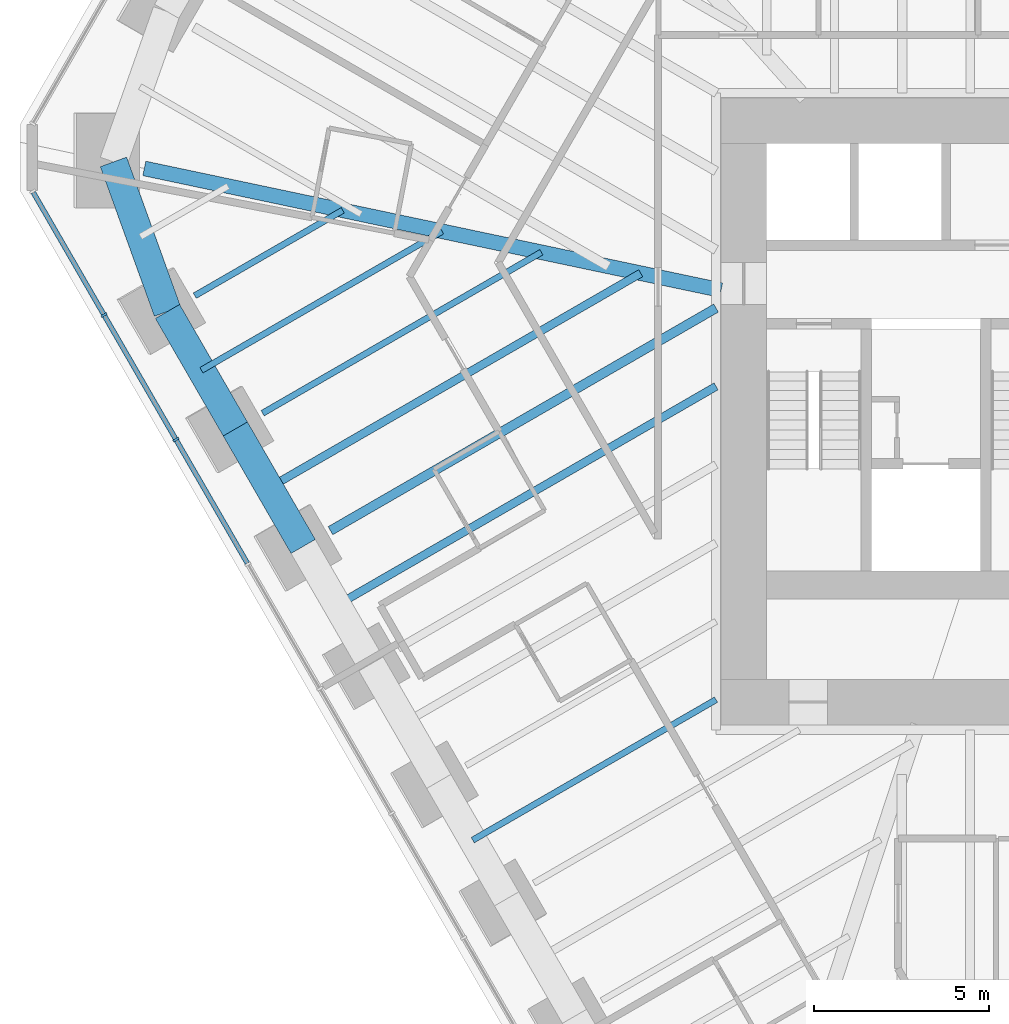
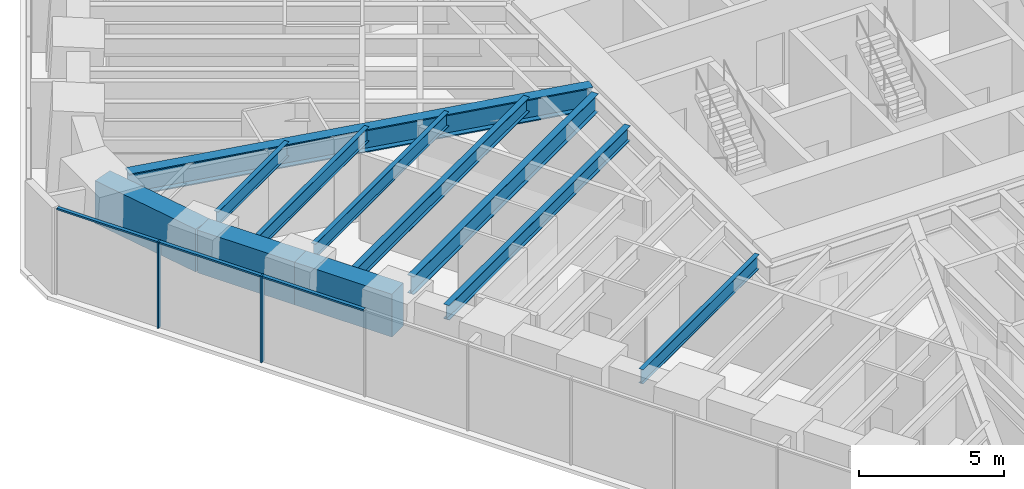
# One storey, part 3 of 18: 11 beams, 5 members, 1 element without a shape of its own.
"""IFC4 building model written with IfcOpenShell, lengths in metres."""

from ifc_helpers import new_model, si_unit, direction, frame, origin, origin_2d, place, context, subcontext, project, spatial, rectangle, i_section, extrude, material, material_profile, profile_set, type_object, element, aggregate, save


model = new_model("IFC4")

# Units and contexts
model_context = context("Model", 3, precision=1e-05, world=origin(), true_north=direction((0.0, 1.0)))
body_context = subcontext(model_context, "Body", "Model", "MODEL_VIEW")
ifc_project = project(units=[si_unit("LENGTHUNIT", "METRE"), si_unit("AREAUNIT", "SQUARE_METRE"), si_unit("VOLUMEUNIT", "CUBIC_METRE"), si_unit("PLANEANGLEUNIT", "RADIAN"), si_unit("MASSUNIT", "GRAM", prefix="KILO")], contexts=[model_context])

# Site, building, storey
site_placement = place(None, origin())
site = spatial("IfcSite", under=ifc_project, at=site_placement, CompositionType="ELEMENT")
building_placement = place(site_placement, origin())
building = spatial("IfcBuilding", under=site, at=building_placement, Name="Sandreach Pilgrim Tower", CompositionType="ELEMENT")
storey_placement = place(building_placement, frame((0.0, 0.0, 153.800048828125)))
storey = spatial("IfcBuildingStorey", under=building, at=storey_placement, Name="L38", CompositionType="ELEMENT", Elevation=153.800048828125)

# Curtain wall, members
ifc_material_1 = material(Name="Aluminium framed curtain wall", Category="aluminium")
curtain_wall_type = type_object("IfcCurtainWallType", Name="Hotel tower curtain wall", PredefinedType="NOTDEFINED", material=ifc_material_1)
curtain_wall_placement = place(storey_placement, origin())
curtain_wall = element("IfcCurtainWall", 1, at=curtain_wall_placement, inside=storey, type_object=curtain_wall_type, Name="CW-2 L38 SW", PredefinedType="NOTDEFINED")
ifc_material_2 = material(Name="Aluminium extrusion", Category="aluminium")
ifc_material_profile_1 = material_profile(ifc_material_2, rectangle(XDim=0.06494140625, YDim=0.179931640625, at=origin_2d()), Name="CW-2M 65X180")
ifc_profile_set_1 = profile_set([ifc_material_profile_1], Name="Aluminium extrusion")
member_type_1 = type_object("IfcMemberType", Name="CW-2 mullion", PredefinedType="MULLION", material=ifc_profile_set_1)
member_1_placement = place(storey_placement, frame((-24.614013671875, -2.35498046875, 0.0), z_axis=(0.0, 0.0, 1.0), x_axis=(-0.5, 0.866025403784, 0.0)))
member_1 = element("IfcMember", 2, at=member_1_placement, type_object=member_type_1, Name="CW-2 mullion 8", PredefinedType="MULLION", context=body_context, shape_type="SweptSolid", body=[
    extrude(rectangle(XDim=0.06494140625, YDim=0.179931640625, at=origin_2d()), origin(), (0.0, 0.0, 1.0), 3.639892578125),
])
member_2_placement = place(storey_placement, frame((-26.66748046875, 1.20166015625, 0.0), z_axis=(0.0, 0.0, 1.0), x_axis=(-0.5, 0.866025403784, 0.0)))
member_2 = element("IfcMember", 3, at=member_2_placement, type_object=member_type_1, Name="CW-2 mullion 9", PredefinedType="MULLION", context=body_context, shape_type="SweptSolid", body=[
    extrude(rectangle(XDim=0.06494140625, YDim=0.179931640625, at=origin_2d()), origin(), (0.0, 0.0, 1.0), 3.639892578125),
])
ifc_material_3 = material(Name="Aluminium extrusion", Category="aluminium")
ifc_material_profile_2 = material_profile(ifc_material_3, rectangle(XDim=0.139892578125, YDim=0.070068359375, at=origin_2d()), Name="CW-2T 140X70")
ifc_profile_set_2 = profile_set([ifc_material_profile_2], Name="Aluminium extrusion")
member_type_2 = type_object("IfcMemberType", Name="CW-2 transom", PredefinedType="USERDEFINED", material=ifc_profile_set_2)
member_3_placement = place(storey_placement, frame((-22.57666015625, -5.883544921875, 3.60498046875), z_axis=(-0.500023973715, 0.866011562111, 0.0), x_axis=(-0.866011562111, -0.500023973715, 0.0)))
member_3 = element("IfcMember", 4, at=member_3_placement, type_object=member_type_2, Name="CW-2 head transom 7", ObjectType="TRANSOM", PredefinedType="USERDEFINED", context=body_context, shape_type="SweptSolid", body=[
    extrude(rectangle(XDim=0.139892578125, YDim=0.070068359375, at=origin_2d()), origin(), (0.0, 0.0, 1.0), 4.041748046875),
])
member_4_placement = place(storey_placement, frame((-24.630126953125, -2.326904296875, 3.60498046875), z_axis=(-0.499997818338, 0.866026663364, 0.0), x_axis=(-0.866026663364, -0.499997818338, 0.0)))
member_4 = element("IfcMember", 5, at=member_4_placement, type_object=member_type_2, Name="CW-2 head transom 8", ObjectType="TRANSOM", PredefinedType="USERDEFINED", context=body_context, shape_type="SweptSolid", body=[
    extrude(rectangle(XDim=0.139892578125, YDim=0.070068359375, at=origin_2d()), origin(), (0.0, 0.0, 1.0), 4.0419921875),
])
member_5_placement = place(storey_placement, frame((-26.68359375, 1.229736328125, 3.60498046875), z_axis=(-0.500015851672, 0.866016251624, 0.0), x_axis=(-0.866016251624, -0.500015851672, 0.0)))
member_5 = element("IfcMember", 6, at=member_5_placement, type_object=member_type_2, Name="CW-2 head transom 9", ObjectType="TRANSOM", PredefinedType="USERDEFINED", context=body_context, shape_type="SweptSolid", body=[
    extrude(rectangle(XDim=0.139892578125, YDim=0.070068359375, at=origin_2d()), origin(), (0.0, 0.0, 1.0), 4.009521484375),
])
aggregate(curtain_wall, [member_1, member_2, member_3, member_4, member_5])

# Beams
ifc_material_4 = material(Name="Steel ASTM A992 Grade 50", Category="steel")
ifc_material_profile_3 = material_profile(ifc_material_4, i_section(OverallWidth=0.421630859375, OverallDepth=0.95751953125, WebThickness=0.02587890625, FlangeThickness=0.046875, at=origin_2d()), Name="W36X330")
ifc_profile_set_3 = profile_set([ifc_material_profile_3], Name="Steel ASTM A992 Grade 50")
beam_type_1 = type_object("IfcBeamType", Name="Corner girder W36X330", PredefinedType="BEAM", material=ifc_profile_set_3)
beam_1_placement = place(storey_placement, frame((-25.518310546875, 5.3876953125, 3.1611328125), z_axis=(0.978429267721, -0.206582109747, 0.0), x_axis=(0.206582109747, 0.978429267721, 0.0)))
element("IfcBeam", 7, at=beam_1_placement, inside=storey, type_object=beam_type_1, Name="BM L38 CG35", PredefinedType="BEAM", context=body_context, shape_type="SweptSolid", body=[
    extrude(i_section(OverallWidth=0.421630859375, OverallDepth=0.95751953125, WebThickness=0.02587890625, FlangeThickness=0.046875, at=origin_2d()), origin(), (0.0, 0.0, 1.0), 16.831298828125),
])
ifc_material_5 = material(Name="Steel ASTM A992 Grade 50", Category="steel")
ifc_material_profile_4 = material_profile(ifc_material_5, i_section(OverallWidth=0.1787109375, OverallDepth=0.60205078125, WebThickness=0.010986328125, FlangeThickness=0.014892578125, at=origin_2d()), Name="W24X62")
ifc_profile_set_4 = profile_set([ifc_material_profile_4], Name="Steel ASTM A992 Grade 50")
beam_type_2 = type_object("IfcBeamType", Name="Floor beam W24X62", PredefinedType="BEAM", material=ifc_profile_set_4)
beam_2_placement = place(storey_placement, frame((-22.139892578125, -1.601318359375, 3.3388671875), z_axis=(0.866027659761, 0.499996092513, 0.0), x_axis=(-0.499996092513, 0.866027659761, 0.0)))
element("IfcBeam", 8, at=beam_2_placement, inside=storey, type_object=beam_type_2, Name="BM L38 F33", PredefinedType="BEAM", context=body_context, shape_type="SweptSolid", body=[
    extrude(i_section(OverallWidth=0.1787109375, OverallDepth=0.60205078125, WebThickness=0.010986328125, FlangeThickness=0.014892578125, at=origin_2d()), origin(), (0.0, 0.0, 1.0), 9.1904296875),
])
beam_3_placement = place(storey_placement, frame((-24.076416015625, 1.7529296875, 3.3388671875), z_axis=(0.866007188065, 0.500031549224, 0.0), x_axis=(-0.500031549224, 0.866007188065, 0.0)))
element("IfcBeam", 9, at=beam_3_placement, inside=storey, type_object=beam_type_2, Name="BM L38 F34", PredefinedType="BEAM", context=body_context, shape_type="SweptSolid", body=[
    extrude(i_section(OverallWidth=0.1787109375, OverallDepth=0.60205078125, WebThickness=0.010986328125, FlangeThickness=0.014892578125, at=origin_2d()), origin(), (0.0, 0.0, 1.0), 4.877197265625),
])
beam_4_placement = place(storey_placement, frame((-16.14111328125, -13.79150390625, 3.3388671875), z_axis=(0.866028486751, 0.499994660107, 0.0), x_axis=(-0.499994660107, 0.866028486751, 0.0)))
element("IfcBeam", 10, at=beam_4_placement, inside=storey, type_object=beam_type_2, Name="BM L38 FM29", PredefinedType="BEAM", context=body_context, shape_type="SweptSolid", body=[
    extrude(i_section(OverallWidth=0.1787109375, OverallDepth=0.60205078125, WebThickness=0.010986328125, FlangeThickness=0.014892578125, at=origin_2d()), origin(), (0.0, 0.0, 1.0), 8.0224609375),
])
beam_5_placement = place(storey_placement, frame((-23.8876953125, -0.374267578125, 3.3388671875), z_axis=(0.866024683951, 0.500001246785, 0.0), x_axis=(-0.500001246785, 0.866024683951, 0.0)))
element("IfcBeam", 11, at=beam_5_placement, inside=storey, type_object=beam_type_2, Name="BM L38 FM33", PredefinedType="BEAM", context=body_context, shape_type="SweptSolid", body=[
    extrude(i_section(OverallWidth=0.1787109375, OverallDepth=0.60205078125, WebThickness=0.010986328125, FlangeThickness=0.014892578125, at=origin_2d()), origin(), (0.0, 0.0, 1.0), 7.93408203125),
])
ifc_material_6 = material(Name="Steel ASTM A992 Grade 50", Category="steel")
ifc_material_profile_5 = material_profile(ifc_material_6, i_section(OverallWidth=0.23046875, OverallDepth=0.6171875, WebThickness=0.01318359375, FlangeThickness=0.022216796875, at=origin_2d()), Name="W24X94")
ifc_profile_set_5 = profile_set([ifc_material_profile_5], Name="Steel ASTM A992 Grade 50")
beam_type_3 = type_object("IfcBeamType", Name="Floor beam W24X94", PredefinedType="BEAM", material=ifc_profile_set_5)
beam_6_placement = place(storey_placement, frame((-20.014404296875, -7.082763671875, 3.331298828125), z_axis=(0.866024523721, 0.500001524311, 0.0), x_axis=(-0.500001524311, 0.866024523721, 0.0)))
element("IfcBeam", 12, at=beam_6_placement, inside=storey, type_object=beam_type_3, Name="BM L38 FM31", PredefinedType="BEAM", context=body_context, shape_type="SweptSolid", body=[
    extrude(i_section(OverallWidth=0.23046875, OverallDepth=0.6171875, WebThickness=0.01318359375, FlangeThickness=0.022216796875, at=origin_2d()), origin(), (0.0, 0.0, 1.0), 12.4951171875),
])
beam_7_placement = place(storey_placement, frame((-21.950927734375, -3.728515625, 3.331298828125), z_axis=(0.866020268664, 0.500008894183, 0.0), x_axis=(-0.500008894183, 0.866020268664, 0.0)))
element("IfcBeam", 13, at=beam_7_placement, inside=storey, type_object=beam_type_3, Name="BM L38 FM32", PredefinedType="BEAM", context=body_context, shape_type="SweptSolid", body=[
    extrude(i_section(OverallWidth=0.23046875, OverallDepth=0.6171875, WebThickness=0.01318359375, FlangeThickness=0.022216796875, at=origin_2d()), origin(), (0.0, 0.0, 1.0), 12.247314453125),
])
ifc_material_7 = material(Name="Steel ASTM A992 Grade 50", Category="steel")
ifc_material_profile_6 = material_profile(ifc_material_7, i_section(OverallWidth=0.2666015625, OverallDepth=0.761962890625, WebThickness=0.014404296875, FlangeThickness=0.021484375, at=origin_2d()), Name="W30X116")
ifc_profile_set_6 = profile_set([ifc_material_profile_6], Name="Steel ASTM A992 Grade 50")
beam_type_4 = type_object("IfcBeamType", Name="Floor beam W30X116", PredefinedType="BEAM", material=ifc_profile_set_6)
beam_8_placement = place(storey_placement, frame((-20.203369140625, -4.95556640625, 3.259033203125), z_axis=(0.866031765794, 0.499988980514, 0.0), x_axis=(-0.499988980514, 0.866031765794, 0.0)))
element("IfcBeam", 14, at=beam_8_placement, inside=storey, type_object=beam_type_4, Name="BM L38 F32", PredefinedType="BEAM", context=body_context, shape_type="SweptSolid", body=[
    extrude(i_section(OverallWidth=0.2666015625, OverallDepth=0.761962890625, WebThickness=0.014404296875, FlangeThickness=0.021484375, at=origin_2d()), origin(), (0.0, 0.0, 1.0), 12.713134765625),
])
ifc_material_8 = material(Name="Concrete 10000 psi", Category="concrete")
ifc_material_profile_7 = material_profile(ifc_material_8, rectangle(XDim=0.800048828125, YDim=1.800048828125, at=origin_2d()), Name="RC800X1800")
ifc_profile_set_7 = profile_set([ifc_material_profile_7], Name="Concrete 10000 psi")
beam_type_5 = type_object("IfcBeamType", Name="Spandrel beam RC800X1800", PredefinedType="SPANDREL", material=ifc_profile_set_7)
for number, where, z_axis, x_axis, name in (
    (15, (-20.982666015625, -5.40576171875, 2.739990234375), (-0.499962526042, 0.866047038303, 0.0), (-0.866047038303, -0.499962526042, 0.0), "BM L38 SP32"),
    (16, (-22.919189453125, -2.05126953125, 2.739990234375), (-0.500037093476, 0.866003986797, 0.0), (-0.866003986797, -0.500037093476, 0.0), "BM L38 SP33"),
):
    element("IfcBeam", number, at=place(storey_placement, frame(where, z_axis=z_axis, x_axis=x_axis)), inside=storey, type_object=beam_type_5, Name=name, PredefinedType="SPANDREL", context=body_context, shape_type="SweptSolid", body=[
        extrude(rectangle(XDim=0.800048828125, YDim=1.800048828125, at=origin_2d()), origin(), (0.0, 0.0, 1.0), 3.873291015625),
    ])
beam_9_placement = place(storey_placement, frame((-24.85595703125, 1.302978515625, 2.739990234375), z_axis=(-0.339791109893, 0.940500931227, 0.0), x_axis=(-0.940500931227, -0.339791109893, 0.0)))
element("IfcBeam", 17, at=beam_9_placement, inside=storey, type_object=beam_type_5, Name="BM L38 SP34", PredefinedType="SPANDREL", context=body_context, shape_type="SweptSolid", body=[
    extrude(rectangle(XDim=0.800048828125, YDim=1.800048828125, at=origin_2d()), origin(), (0.0, 0.0, 1.0), 4.541015625),
])

save(model, "model.ifc")
